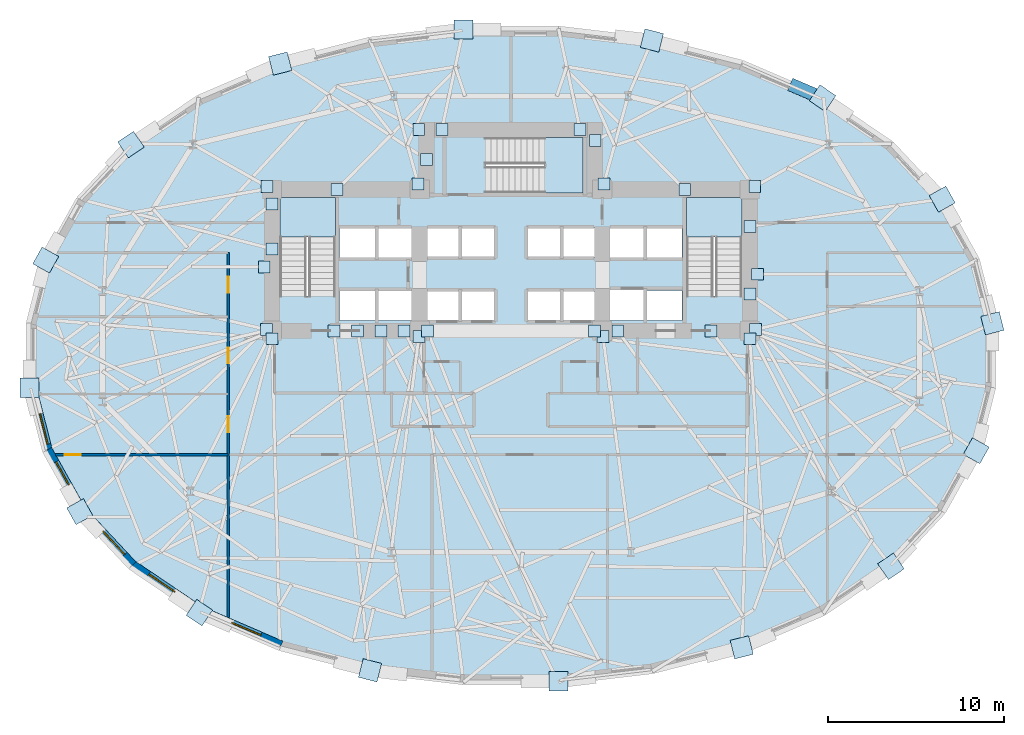
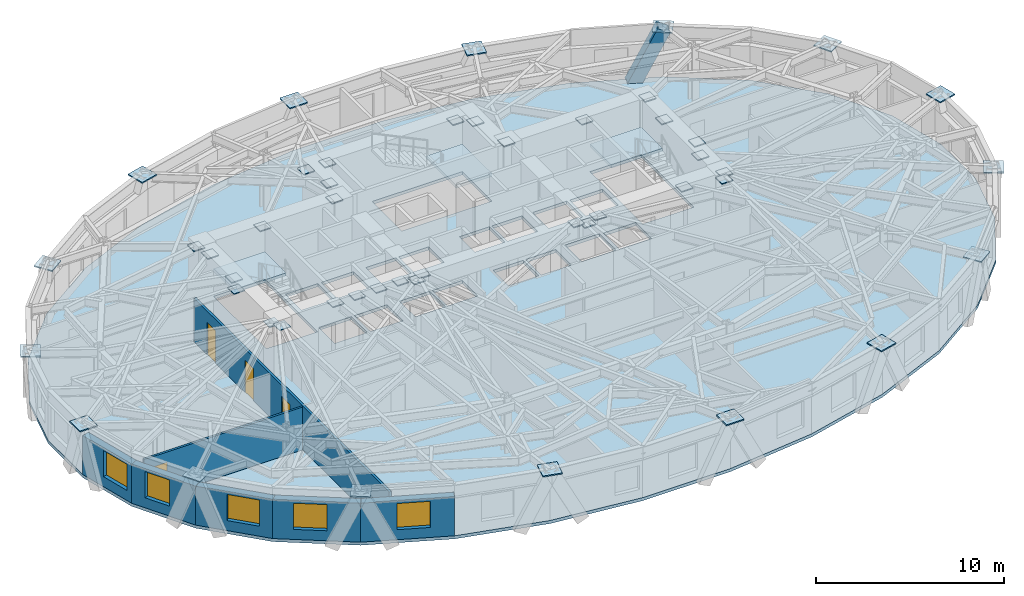
# One storey, part 5 of 13: 47 plates, 7 walls, 5 windows, 4 doors, 4 slabs, 1 member, 9 openings, 3 elements without a shape of their own.
"""IFC4 building model written with IfcOpenShell, lengths in metres."""

from ifc_helpers import new_model, si_unit, direction, frame, frame_2d, origin, origin_2d, place, context, subcontext, project, spatial, polyline, rectangle, hollow_rectangle, outline, extrude, material, layer, layer_set, material_profile, profile_set, type_object, element, fill, aggregate, save


model = new_model("IFC4")

# Units and contexts
model_context = context("Model", 3, precision=1e-05, world=origin(), true_north=direction((0.0, 1.0)))
body_context = subcontext(model_context, "Body", "Model", "MODEL_VIEW")
ifc_project = project(units=[si_unit("LENGTHUNIT", "METRE"), si_unit("AREAUNIT", "SQUARE_METRE"), si_unit("VOLUMEUNIT", "CUBIC_METRE"), si_unit("PLANEANGLEUNIT", "RADIAN"), si_unit("MASSUNIT", "GRAM", prefix="KILO")], contexts=[model_context])

# Site, building, storey
site_placement = place(None, origin())
site = spatial("IfcSite", under=ifc_project, at=site_placement, CompositionType="ELEMENT")
building_placement = place(site_placement, origin())
building = spatial("IfcBuilding", under=site, at=building_placement, Name="Keldmark Tower", CompositionType="ELEMENT")
storey_placement = place(building_placement, frame((0.0, 0.0, 45.0)))
storey = spatial("IfcBuildingStorey", under=building, at=storey_placement, Name="L11", CompositionType="ELEMENT", Elevation=45.0)

# Member
ifc_material_1 = material(Name="Steel ASTM A572 Grade 50", Category="steel")
ifc_material_profile = material_profile(ifc_material_1, hollow_rectangle(XDim=0.75, YDim=0.75, WallThickness=0.06494140625, at=origin_2d()), Name="BOX750X750X65")
ifc_profile_set = profile_set([ifc_material_profile], Name="Steel ASTM A572 Grade 50")
member_type = type_object("IfcMemberType", Name="Diagrid Lower Brace BOX750X750X65", PredefinedType="BRACE", material=ifc_profile_set)
member_placement = place(storey_placement, frame((16.2041015625, 15.302490234375, -0.280029296875), z_axis=(0.392247021116, -0.168433661558, 0.904307677773), x_axis=(0.394567930175, 0.918866774063, 0.0)))
element("IfcMember", 1, at=member_placement, inside=storey, type_object=member_type, Name="L11 Perimeter Diagrid Brace 03A", PredefinedType="BRACE", context=body_context, shape_type="SweptSolid", body=[
    extrude(hollow_rectangle(XDim=0.75, YDim=0.75, WallThickness=0.06494140625, at=origin_2d()), origin(), (0.0, 0.0, 1.0), 3.936767578125),
])

# Plates
ifc_material_2 = material(Name="Steel ASTM A572 Grade 50", Category="steel")
ifc_layer_1 = layer(ifc_material_2, 0.06005859375)
ifc_layer_set_1 = layer_set([ifc_layer_1], Name="Steel ASTM A572 Grade 50")
plate_type_1 = type_object("IfcPlateType", Name="Belt Truss Kink Node Assembly KN01 60 mm", PredefinedType="USERDEFINED", material=ifc_layer_set_1)
for number, where, z_axis, x_axis, name in (
    (2, (13.91162109375, 1.473388671875, 3.09814453125), (0.0, 0.0, 1.0), (1.0, 0.0, 0.0), "L11 Core Wall Cast-In Embed Plate 263"),
    (3, (13.878173828125, 9.608154296875, 3.09814453125), (0.0, 0.0, 1.0), (1.0, 0.0, 0.0), "L11 Core Wall Cast-In Embed Plate 264"),
    (4, (5.28515625, 9.758544921875, 3.09814453125), (0.0, 0.0, 1.0), (1.0, 0.0, 0.0), "L11 Core Wall Cast-In Embed Plate 265"),
    (5, (-5.28515625, 9.758544921875, 3.09814453125), (0.0, 0.0, 1.0), (1.0, 0.0, 0.0), "L11 Core Wall Cast-In Embed Plate 266"),
    (6, (-13.878173828125, 9.608154296875, 3.09814453125), (0.0, 0.0, 1.0), (1.0, 0.0, 0.0), "L11 Core Wall Cast-In Embed Plate 267"),
    (7, (-13.91162109375, 1.473388671875, 3.09814453125), (0.0, 0.0, 1.0), (1.0, 0.0, 0.0), "L11 Core Wall Cast-In Embed Plate 268"),
    (8, (-5.24072265625, 1.08251953125, 3.09814453125), (0.0, 0.0, 1.0), (1.0, 0.0, 0.0), "L11 Core Wall Cast-In Embed Plate 269"),
    (9, (5.24072265625, 1.08251953125, 3.09814453125), (0.0, 0.0, 1.0), (1.0, 0.0, 0.0), "L11 Core Wall Cast-In Embed Plate 270"),
    (10, (9.892822265625, 9.449951171875, 3.10400390625), (0.0, 0.0, 1.0), (1.0, 0.0, 0.0), "L11 Core Wall Cast-In Embed Plate 271"),
    (11, (-9.892822265625, 9.449951171875, 3.10400390625), (0.0, 0.0, 1.0), (1.0, 0.0, 0.0), "L11 Core Wall Cast-In Embed Plate 272"),
    (12, (-5.25, 12.85009765625, 3.10400390625), (0.0, 0.0, 1.0), (1.0, 0.0, 0.0), "L11 Core Wall Cast-In Embed Plate 273"),
    (13, (-8.735595703125, 1.39990234375, 3.10400390625), (0.0, 0.0, 1.0), (1.0, 0.0, 0.0), "L11 Core Wall Cast-In Embed Plate 274"),
    (14, (-13.60009765625, 0.949951171875, 3.10400390625), (0.0, 0.0, 1.0), (1.0, 0.0, 0.0), "L11 Core Wall Cast-In Embed Plate 275"),
    (15, (-6.07861328125, 1.39990234375, 3.10400390625), (0.0, 0.0, 1.0), (1.0, 0.0, 0.0), "L11 Core Wall Cast-In Embed Plate 276"),
    (16, (13.60009765625, 0.949951171875, 3.10400390625), (0.0, 0.0, 1.0), (1.0, 0.0, 0.0), "L11 Core Wall Cast-In Embed Plate 277"),
    (17, (13.60009765625, 7.343017578125, 3.10400390625), (0.0, 0.0, 1.0), (1.0, 0.0, 0.0), "L11 Core Wall Cast-In Embed Plate 278"),
    (18, (4.800048828125, 12.22509765625, 3.10400390625), (0.0, 0.0, 1.0), (1.0, 0.0, 0.0), "L11 Core Wall Cast-In Embed Plate 279"),
    (19, (3.9375, 12.85009765625, 3.10400390625), (0.0, 0.0, 1.0), (1.0, 0.0, 0.0), "L11 Core Wall Cast-In Embed Plate 280"),
    (20, (-3.9375, 12.85009765625, 3.10400390625), (0.0, 0.0, 1.0), (1.0, 0.0, 0.0), "L11 Core Wall Cast-In Embed Plate 281"),
    (21, (-4.800048828125, 11.14990234375, 3.10400390625), (0.0, 0.0, 1.0), (1.0, 0.0, 0.0), "L11 Core Wall Cast-In Embed Plate 282"),
    (22, (-13.60009765625, 6.064208984375, 3.10400390625), (0.0, 0.0, 1.0), (1.0, 0.0, 0.0), "L11 Core Wall Cast-In Embed Plate 283"),
    (23, (-13.60009765625, 8.621337890625, 3.10400390625), (0.0, 0.0, 1.0), (1.0, 0.0, 0.0), "L11 Core Wall Cast-In Embed Plate 284"),
    (24, (4.75, 1.39990234375, 3.10400390625), (0.0, 0.0, 1.0), (1.0, 0.0, 0.0), "L11 Core Wall Cast-In Embed Plate 285"),
    (25, (-10.064208984375, 1.39990234375, 3.10400390625), (0.0, 0.0, 1.0), (1.0, 0.0, 0.0), "L11 Core Wall Cast-In Embed Plate 286"),
    (26, (-4.75, 1.39990234375, 3.10400390625), (0.0, 0.0, 1.0), (1.0, 0.0, 0.0), "L11 Core Wall Cast-In Embed Plate 287"),
    (27, (-7.406982421875, 1.39990234375, 3.10400390625), (0.0, 0.0, 1.0), (1.0, 0.0, 0.0), "L11 Core Wall Cast-In Embed Plate 288"),
    (28, (6.07861328125, 1.39990234375, 3.10400390625), (0.0, 0.0, 1.0), (1.0, 0.0, 0.0), "L11 Core Wall Cast-In Embed Plate 289"),
    (29, (11.392822265625, 1.39990234375, 3.10400390625), (0.0, 0.0, 1.0), (1.0, 0.0, 0.0), "L11 Core Wall Cast-In Embed Plate 290"),
    (30, (13.60009765625, 3.507080078125, 3.10400390625), (0.0, 0.0, 1.0), (1.0, 0.0, 0.0), "L11 Core Wall Cast-In Embed Plate 291"),
    (31, (-14.044921875, 5.0400390625, 3.14404296875), (0.0, 0.0, 1.0), (1.0, 0.0, 0.0), "L11 Core Wall Cast-In Embed Plate 292"),
    (32, (14.044921875, 4.6201171875, 3.14404296875), (0.0, 0.0, 1.0), (1.0, 0.0, 0.0), "L11 Core Wall Cast-In Embed Plate 293"),
):
    element("IfcPlate", number, at=place(storey_placement, frame(where, z_axis=z_axis, x_axis=x_axis)), inside=storey, type_object=plate_type_1, Name=name, ObjectType="CAP PLATE", PredefinedType="USERDEFINED", context=body_context, shape_type="SweptSolid", body=[
        extrude(rectangle(XDim=0.679931640625, YDim=0.679931640625, at=origin_2d()), origin(), (0.0, 0.0, 1.0), 0.054931640625),
    ])
ifc_material_3 = material(Name="Steel ASTM A572 Grade 50", Category="steel")
ifc_layer_2 = layer(ifc_material_3, 0.074951171875)
ifc_layer_set_2 = layer_set([ifc_layer_2], Name="Steel ASTM A572 Grade 50")
plate_type_2 = type_object("IfcPlateType", Name="Diagrid Node Assembly DN01 75 mm", PredefinedType="USERDEFINED", material=ifc_layer_set_2)
for number, where, z_axis, x_axis, name in (
    (33, (27.40625, 1.8271484375, 3.24267578125), (0.0, 0.0, 1.0), (-0.248013628006, 0.968756543371, 0.0), "L11 Diagrid Node Assembly 01"),
    (34, (24.551025390625, 8.8955078125, 3.24267578125), (0.0, 0.0, 1.0), (-0.487402531354, 0.87317740032, 0.0), "L11 Diagrid Node Assembly 02"),
    (35, (17.739990234375, 14.647705078125, 3.24267578125), (0.0, 0.0, 1.0), (-0.827864584251, 0.560928007986, 0.0), "L11 Diagrid Node Assembly 04"),
    (36, (8.02197265625, 17.9296875, 3.24267578125), (0.0, 0.0, 1.0), (-0.968713242072, 0.248182704141, 0.0), "L11 Diagrid Node Assembly 06"),
    (37, (-2.711181640625, 18.551513671875, 3.24267578125), (0.0, 0.0, 1.0), (-1.0, 0.0, 0.0), "L11 Diagrid Node Assembly 08"),
    (38, (-13.135986328125, 16.617431640625, 3.24267578125), (0.0, 0.0, 1.0), (-0.968713242072, -0.248182704141, 0.0), "L11 Diagrid Node Assembly 10"),
    (39, (-21.634765625, 12.005859375, 3.24267578125), (0.0, 0.0, 1.0), (-0.827864584251, -0.560928007986, 0.0), "L11 Diagrid Node Assembly 12"),
    (40, (-26.4853515625, 5.4267578125, 3.24267578125), (0.0, 0.0, 1.0), (-0.487402531354, -0.87317740032, 0.0), "L11 Diagrid Node Assembly 14"),
    (41, (-27.40625, -1.8388671875, 3.24267578125), (0.0, 0.0, 1.0), (0.0, -1.0, 0.0), "L11 Diagrid Node Assembly 16"),
    (42, (-24.551025390625, -8.8955078125, 3.24267578125), (0.0, 0.0, 1.0), (0.487402531354, -0.87317740032, 0.0), "L11 Diagrid Node Assembly 18"),
    (43, (-17.739990234375, -14.647705078125, 3.24267578125), (0.0, 0.0, 1.0), (0.827864584251, -0.560928007986, 0.0), "L11 Diagrid Node Assembly 20"),
    (44, (-8.02197265625, -17.9296875, 3.24267578125), (0.0, 0.0, 1.0), (0.968713242072, -0.248182704141, 0.0), "L11 Diagrid Node Assembly 22"),
    (45, (2.711181640625, -18.551513671875, 3.24267578125), (0.0, 0.0, 1.0), (1.0, 0.0, 0.0), "L11 Diagrid Node Assembly 24"),
    (46, (13.135986328125, -16.617431640625, 3.24267578125), (0.0, 0.0, 1.0), (0.968713242072, 0.248182704141, 0.0), "L11 Diagrid Node Assembly 26"),
    (47, (21.634765625, -12.005859375, 3.24267578125), (0.0, 0.0, 1.0), (0.827864584251, 0.560928007986, 0.0), "L11 Diagrid Node Assembly 28"),
    (48, (26.4853515625, -5.4267578125, 3.24267578125), (0.0, 0.0, 1.0), (0.487402531354, 0.87317740032, 0.0), "L11 Diagrid Node Assembly 30"),
):
    element("IfcPlate", number, at=place(storey_placement, frame(where, z_axis=z_axis, x_axis=x_axis)), inside=storey, type_object=plate_type_2, Name=name, ObjectType="GUSSET", PredefinedType="USERDEFINED", context=body_context, shape_type="SweptSolid", body=[
        extrude(rectangle(XDim=1.090087890625, YDim=1.090087890625, at=origin_2d()), origin(), (0.0, 0.0, 1.0), 0.074951171875),
    ])

# Slab
ifc_material_4 = material(Name="Concrete C35/45", Category="concrete")
ifc_layer_3 = layer(ifc_material_4, 0.199951171875)
ifc_layer_set_3 = layer_set([ifc_layer_3], Name="Concrete C35/45")
slab_type_1 = type_object("IfcSlabType", Name="Low-Rise Office Composite Slab 200 mm", PredefinedType="FLOOR", material=ifc_layer_set_3)
slab_1_placement = place(storey_placement, frame((0.0, 0.0, -0.199951171875)))
element("IfcSlab", 49, at=slab_1_placement, inside=storey, type_object=slab_type_1, Name="L11 Composite Structural Floor Slab", PredefinedType="FLOOR", context=body_context, shape_type="SweptSolid", body=[
    extrude(outline(polyline([(27.4658203125, 1.8330078125), (26.538330078125, 5.455078125), (24.6083984375, 8.912841796875), (21.6728515625, 12.05224609375), (17.786376953125, 14.685791015625), (13.1533203125, 16.6748046875), (8.05029296875, 17.982666015625), (2.705078125, 18.611083984375), (-2.705078125, 18.611083984375), (-8.05029296875, 17.982666015625), (-13.1533203125, 16.6748046875), (-17.786376953125, 14.685791015625), (-21.6728515625, 12.05224609375), (-24.6083984375, 8.912841796875), (-26.538330078125, 5.455078125), (-27.4658203125, 1.8330078125), (-27.4658203125, -1.8330078125), (-26.538330078125, -5.455078125), (-24.6083984375, -8.912841796875), (-21.6728515625, -12.05224609375), (-17.786376953125, -14.685791015625), (-13.1533203125, -16.6748046875), (-8.05029296875, -17.982666015625), (-2.705078125, -18.611083984375), (2.705078125, -18.611083984375), (8.05029296875, -17.982666015625), (13.1533203125, -16.6748046875), (17.786376953125, -14.685791015625), (21.6728515625, -12.05224609375), (24.6083984375, -8.912841796875), (26.538330078125, -5.455078125), (27.4658203125, -1.8330078125), (27.4658203125, 1.8330078125)]), holes=[polyline([(-10.0, 3.385009765625), (-10.0, 9.0), (-13.14990234375, 9.0), (-13.14990234375, 3.385009765625), (-10.0, 3.385009765625)]), polyline([(13.14990234375, 3.385009765625), (13.14990234375, 9.0), (10.0, 9.0), (10.0, 3.385009765625), (13.14990234375, 3.385009765625)]), polyline([(-1.43994140625, 9.25), (4.10498046875, 9.25), (4.10498046875, 12.39990234375), (-1.43994140625, 12.39990234375), (-1.43994140625, 9.25)]), polyline([(-9.75, 2.0), (-7.75, 2.0), (-7.75, 3.699951171875), (-9.75, 3.699951171875), (-9.75, 2.0)]), polyline([(7.75, 2.0), (9.75, 2.0), (9.75, 3.699951171875), (7.75, 3.699951171875), (7.75, 2.0)]), polyline([(5.449951171875, 2.0), (7.550048828125, 2.0), (7.550048828125, 3.75), (5.449951171875, 3.75), (5.449951171875, 2.0)]), polyline([(-4.800048828125, 2.0), (-2.949951171875, 2.0), (-2.949951171875, 3.64990234375), (-4.800048828125, 3.64990234375), (-4.800048828125, 2.0)]), polyline([(-2.800048828125, 2.0), (-0.949951171875, 2.0), (-0.949951171875, 3.64990234375), (-2.800048828125, 3.64990234375), (-2.800048828125, 2.0)]), polyline([(0.949951171875, 2.0), (2.800048828125, 2.0), (2.800048828125, 3.64990234375), (0.949951171875, 3.64990234375), (0.949951171875, 2.0)]), polyline([(2.949951171875, 2.0), (4.800048828125, 2.0), (4.800048828125, 3.64990234375), (2.949951171875, 3.64990234375), (2.949951171875, 2.0)]), polyline([(-4.800048828125, 5.60009765625), (-2.949951171875, 5.60009765625), (-2.949951171875, 7.25), (-4.800048828125, 7.25), (-4.800048828125, 5.60009765625)]), polyline([(-2.800048828125, 5.60009765625), (-0.949951171875, 5.60009765625), (-0.949951171875, 7.25), (-2.800048828125, 7.25), (-2.800048828125, 5.60009765625)]), polyline([(0.949951171875, 5.60009765625), (2.800048828125, 5.60009765625), (2.800048828125, 7.25), (0.949951171875, 7.25), (0.949951171875, 5.60009765625)]), polyline([(2.949951171875, 5.60009765625), (4.800048828125, 5.60009765625), (4.800048828125, 7.25), (2.949951171875, 7.25), (2.949951171875, 5.60009765625)]), polyline([(-9.75, 5.550048828125), (-7.75, 5.550048828125), (-7.75, 7.25), (-9.75, 7.25), (-9.75, 5.550048828125)]), polyline([(-7.550048828125, 5.550048828125), (-5.550048828125, 5.550048828125), (-5.550048828125, 7.25), (-7.550048828125, 7.25), (-7.550048828125, 5.550048828125)]), polyline([(-7.550048828125, 2.0), (-5.550048828125, 2.0), (-5.550048828125, 3.699951171875), (-7.550048828125, 3.699951171875), (-7.550048828125, 2.0)]), polyline([(5.449951171875, 5.550048828125), (7.550048828125, 5.550048828125), (7.550048828125, 7.25), (5.449951171875, 7.25), (5.449951171875, 5.550048828125)]), polyline([(7.75, 5.550048828125), (9.75, 5.550048828125), (9.75, 7.25), (7.75, 7.25), (7.75, 5.550048828125)])]), origin(), (0.0, 0.0, 1.0), 0.199951171875),
])

# Stair, slab
ifc_material_5 = material(Name="Concrete C40/50", Category="concrete")
stair_type = type_object("IfcStairType", Name="Precast Concrete Core Exit Stair", PredefinedType="HALF_TURN_STAIR", material=ifc_material_5)
stair_1_placement = place(storey_placement, origin())
stair_1 = element("IfcStair", 50, at=stair_1_placement, inside=storey, type_object=stair_type, Name="L11 Exit Stair ST1", PredefinedType="HALF_TURN_STAIR")
ifc_material_6 = material(Name="Concrete C40/50", Category="concrete")
ifc_layer_4 = layer(ifc_material_6, 0.199951171875)
ifc_layer_set_4 = layer_set([ifc_layer_4], Name="Concrete C40/50")
slab_type_2 = type_object("IfcSlabType", Name="Reinforced Concrete Stair Landing 200 mm", PredefinedType="LANDING", material=ifc_layer_set_4)
slab_2_placement = place(storey_placement, frame((0.0, 0.0, 1.60009765625)))
slab_2 = element("IfcSlab", 51, at=slab_2_placement, type_object=slab_type_2, Name="ST1 landing 1", PredefinedType="LANDING", context=body_context, shape_type="SweptSolid", body=[
    extrude(outline(polyline([(-10.0, 6.72998046875), (-10.0, 9.0), (-13.14990234375, 9.0), (-13.14990234375, 6.72998046875), (-10.0, 6.72998046875)])), origin(), (0.0, 0.0, 1.0), 0.199951171875),
])
aggregate(stair_1, [slab_2])

stair_2_placement = place(storey_placement, origin())
stair_2 = element("IfcStair", 52, at=stair_2_placement, inside=storey, type_object=stair_type, Name="L11 Exit Stair ST2", PredefinedType="HALF_TURN_STAIR")
slab_3_placement = place(storey_placement, frame((0.0, 0.0, 1.60009765625)))
slab_3 = element("IfcSlab", 53, at=slab_3_placement, type_object=slab_type_2, Name="ST2 landing 1", PredefinedType="LANDING", context=body_context, shape_type="SweptSolid", body=[
    extrude(outline(polyline([(13.14990234375, 6.72998046875), (13.14990234375, 9.0), (10.0, 9.0), (10.0, 6.72998046875), (13.14990234375, 6.72998046875)])), origin(), (0.0, 0.0, 1.0), 0.199951171875),
])
aggregate(stair_2, [slab_3])

stair_3_placement = place(storey_placement, origin())
stair_3 = element("IfcStair", 54, at=stair_3_placement, inside=storey, type_object=stair_type, Name="L11 Exit Stair ST3", PredefinedType="HALF_TURN_STAIR")
slab_4_placement = place(storey_placement, frame((0.0, 0.0, 1.60009765625)))
slab_4 = element("IfcSlab", 55, at=slab_4_placement, type_object=slab_type_2, Name="ST3 landing 1", PredefinedType="LANDING", context=body_context, shape_type="SweptSolid", body=[
    extrude(outline(polyline([(1.905029296875, 9.25), (4.10498046875, 9.25), (4.10498046875, 12.39990234375), (1.905029296875, 12.39990234375), (1.905029296875, 9.25)])), origin(), (0.0, 0.0, 1.0), 0.199951171875),
])
aggregate(stair_3, [slab_4])

# Wall, openings, doors
ifc_material_7 = material(Name="Acoustic Double-Layer Gypsum Corridor Partition", Category="gypsum")
ifc_layer_5 = layer(ifc_material_7, 0.139892578125)
ifc_layer_set_5 = layer_set([ifc_layer_5], Name="Acoustic Double-Layer Gypsum Corridor Partition")
wall_type_1 = type_object("IfcWallType", Name="Acoustic Corridor Partition 140 mm", PredefinedType="PARTITIONING", material=ifc_layer_set_5)
wall_1_placement = place(storey_placement, frame((-16.10009765625, -14.922119140625, 0.0), z_axis=(0.0, 0.0, 1.0), x_axis=(0.0, 1.0, 0.0)))
wall_1 = element("IfcWall", 56, at=wall_1_placement, inside=storey, type_object=wall_type_1, Name="L11 Acoustic Corridor Partition 140 mm COR-W", PredefinedType="PARTITIONING", context=body_context, shape_type="SweptSolid", body=[
    extrude(rectangle(XDim=20.772216796875, YDim=0.139892578125, at=frame_2d((10.38623046875, 0.0))), origin(), (0.0, 0.0, 1.0), 2.841064453125),
])
opening_1_placement = place(wall_1_placement, frame((10.54736328125, 0.0, 0.0)))
opening_1 = element("IfcOpeningElement", 57, at=opening_1_placement, cuts=wall_1, Name="Opening D-IN090", PredefinedType="OPENING", context=body_context, shape_type="SweptSolid", body=[
    extrude(rectangle(XDim=0.89990234375, YDim=2.10009765625, at=frame_2d((0.449951171875, 1.050048828125))), frame((0.0, 0.079833984375, 0.0), z_axis=(0.0, -1.0, 0.0), x_axis=(1.0, 0.0, 0.0)), (0.0, 0.0, 1.0), 0.159912109375),
])
opening_2_placement = place(wall_1_placement, frame((14.472412109375, 0.0, 0.0)))
opening_2 = element("IfcOpeningElement", 58, at=opening_2_placement, cuts=wall_1, Name="Opening D-IN090", PredefinedType="OPENING", context=body_context, shape_type="SweptSolid", body=[
    extrude(rectangle(XDim=0.89990234375, YDim=2.10009765625, at=frame_2d((0.449951171875, 1.050048828125))), frame((0.0, 0.079833984375, 0.0), z_axis=(0.0, -1.0, 0.0), x_axis=(1.0, 0.0, 0.0)), (0.0, 0.0, 1.0), 0.159912109375),
])
opening_3_placement = place(wall_1_placement, frame((18.497314453125, 0.0, 0.0)))
opening_3 = element("IfcOpeningElement", 59, at=opening_3_placement, cuts=wall_1, Name="Opening D-IN090", PredefinedType="OPENING", context=body_context, shape_type="SweptSolid", body=[
    extrude(rectangle(XDim=0.89990234375, YDim=2.10009765625, at=frame_2d((0.449951171875, 1.050048828125))), frame((0.0, 0.079833984375, 0.0), z_axis=(0.0, -1.0, 0.0), x_axis=(1.0, 0.0, 0.0)), (0.0, 0.0, 1.0), 0.159912109375),
])
ifc_material_8 = material(Name="Stained American White Oak Veneer", Category="wood")
door_type = type_object("IfcDoorType", Name="Interior Door 900x2100", OperationType="NOTDEFINED", PredefinedType="DOOR", material=ifc_material_8)
door_1_placement = place(opening_1_placement, origin())
door_1 = element("IfcDoor", 60, at=door_1_placement, inside=storey, type_object=door_type, Name="L11 Interior Door 900x2100 D-WR-1-L11", OperationType="SINGLE_SWING_LEFT", OverallHeight=2.10009765625, OverallWidth=0.89990234375, PredefinedType="DOOR", context=body_context, shape_type="SweptSolid", body=[
    extrude(rectangle(XDim=0.89990234375, YDim=2.10009765625, at=frame_2d((0.449951171875, 1.050048828125))), frame((0.0, 0.02490234375, 0.0), z_axis=(0.0, -1.0, 0.0), x_axis=(1.0, 0.0, 0.0)), (0.0, 0.0, 1.0), 0.050048828125),
])
fill(opening_1, door_1)
door_2_placement = place(opening_2_placement, origin())
door_2 = element("IfcDoor", 61, at=door_2_placement, inside=storey, type_object=door_type, Name="L11 Interior Door 900x2100 D-WR-2-L11", OperationType="SINGLE_SWING_RIGHT", OverallHeight=2.10009765625, OverallWidth=0.89990234375, PredefinedType="DOOR", context=body_context, shape_type="SweptSolid", body=[
    extrude(rectangle(XDim=0.89990234375, YDim=2.10009765625, at=frame_2d((0.449951171875, 1.050048828125))), frame((0.0, 0.02490234375, 0.0), z_axis=(0.0, -1.0, 0.0), x_axis=(1.0, 0.0, 0.0)), (0.0, 0.0, 1.0), 0.050048828125),
])
fill(opening_2, door_2)
door_3_placement = place(opening_3_placement, origin())
door_3 = element("IfcDoor", 62, at=door_3_placement, inside=storey, type_object=door_type, Name="L11 Interior Door 900x2100 D-WR-3-L11", OperationType="SINGLE_SWING_LEFT", OverallHeight=2.10009765625, OverallWidth=0.89990234375, PredefinedType="DOOR", context=body_context, shape_type="SweptSolid", body=[
    extrude(rectangle(XDim=0.89990234375, YDim=2.10009765625, at=frame_2d((0.449951171875, 1.050048828125))), frame((0.0, 0.02490234375, 0.0), z_axis=(0.0, -1.0, 0.0), x_axis=(1.0, 0.0, 0.0)), (0.0, 0.0, 1.0), 0.050048828125),
])
fill(opening_3, door_3)

# Wall, opening, door
ifc_material_9 = material(Name="Acoustic Gypsum Board Interior Partition", Category="gypsum")
ifc_layer_6 = layer(ifc_material_9, 0.1298828125)
ifc_layer_set_6 = layer_set([ifc_layer_6], Name="Acoustic Gypsum Board Interior Partition")
wall_type_2 = type_object("IfcWallType", Name="Interior Partition 130 mm", PredefinedType="PARTITIONING", material=ifc_layer_set_6)
wall_2_placement = place(storey_placement, frame((-25.91650390625, -5.64990234375, 0.0), z_axis=(0.0, 0.0, 1.0), x_axis=(1.0, 0.0, 0.0)))
wall_2 = element("IfcWall", 63, at=wall_2_placement, inside=storey, type_object=wall_type_2, Name="L11 Interior Partition 130 mm W-CAP-S", PredefinedType="PARTITIONING", context=body_context, shape_type="SweptSolid", body=[
    extrude(rectangle(XDim=9.81640625, YDim=0.1298828125, at=frame_2d((4.908203125, 0.0))), origin(), (0.0, 0.0, 1.0), 2.779052734375),
])
opening_4_placement = place(wall_2_placement, frame((0.510009765625, 0.0, 0.0)))
opening_4 = element("IfcOpeningElement", 64, at=opening_4_placement, cuts=wall_2, Name="Opening D-IN090", PredefinedType="OPENING", context=body_context, shape_type="SweptSolid", body=[
    extrude(rectangle(XDim=0.89990234375, YDim=2.10009765625, at=frame_2d((0.449951171875, 1.050048828125))), frame((0.0, 0.074951171875, 0.0), z_axis=(0.0, -1.0, 0.0), x_axis=(1.0, 0.0, 0.0)), (0.0, 0.0, 1.0), 0.14990234375),
])
door_4_placement = place(opening_4_placement, origin())
door_4 = element("IfcDoor", 65, at=door_4_placement, inside=storey, type_object=door_type, Name="L11 Interior Door 900x2100 D-WRSW-L11", OperationType="SINGLE_SWING_LEFT", OverallHeight=2.10009765625, OverallWidth=0.89990234375, PredefinedType="DOOR", context=body_context, shape_type="SweptSolid", body=[
    extrude(rectangle(XDim=0.89990234375, YDim=2.10009765625, at=frame_2d((0.449951171875, 1.050048828125))), frame((0.0, 0.02490234375, 0.0), z_axis=(0.0, -1.0, 0.0), x_axis=(1.0, 0.0, 0.0)), (0.0, 0.0, 1.0), 0.050048828125),
])
fill(opening_4, door_4)

# Wall, opening, window
ifc_material_10 = material(Name="Ironspot Manganese Brick and Kasota Buff Limestone Spandrel Assembly", Category="masonry")
ifc_layer_7 = layer(ifc_material_10, 0.43994140625)
ifc_layer_set_7 = layer_set([ifc_layer_7], Name="Ironspot Manganese Brick and Kasota Buff Limestone Spandrel Assembly")
wall_type_3 = type_object("IfcWallType", Name="Tower Brick Pier and Spandrel Wall 440 mm", PredefinedType="STANDARD", material=ifc_layer_set_7)
wall_3_placement = place(storey_placement, frame((-26.3251953125, -5.400390625, 0.0), z_axis=(0.0, 0.0, 1.0), x_axis=(-0.248062710061, 0.968743976434, 0.0)))
wall_3 = element("IfcWall", 66, at=wall_3_placement, inside=storey, type_object=wall_type_3, Name="L11 Exterior Brick and Spandrel Wall 17", PredefinedType="STANDARD", context=body_context, shape_type="SweptSolid", body=[
    extrude(rectangle(XDim=3.739013671875, YDim=0.43994140625, at=frame_2d((1.86962890625, 0.0))), origin(), (0.0, 0.0, 1.0), 2.529052734375),
])
opening_5_placement = place(wall_3_placement, frame((0.348876953125, 0.0, 0.64990234375)))
opening_5 = element("IfcOpeningElement", 67, at=opening_5_placement, cuts=wall_3, Name="Opening W-02", PredefinedType="OPENING", context=body_context, shape_type="SweptSolid", body=[
    extrude(rectangle(XDim=1.800048828125, YDim=1.699951171875, at=frame_2d((0.89990234375, 0.85009765625))), frame((0.0, 0.22998046875, 0.0), z_axis=(0.0, -1.0, 0.0), x_axis=(1.0, 0.0, 0.0)), (0.0, 0.0, 1.0), 0.4599609375),
])
ifc_material_11 = material(Name="Thermally Broken Anodized Aluminum and Triple Low-E Argon Glazing", Category="aluminium")
window_type_1 = type_object("IfcWindowType", Name="Office Deep-Set Triple Window 1800x1700", PartitioningType="TRIPLE_PANEL_VERTICAL", PredefinedType="WINDOW", material=ifc_material_11)
window_1_placement = place(opening_5_placement, origin())
window_1 = element("IfcWindow", 68, at=window_1_placement, inside=storey, type_object=window_type_1, Name="L11 Deep-Set Window 17", OverallHeight=1.699951171875, OverallWidth=1.800048828125, PartitioningType="SINGLE_PANEL", PredefinedType="WINDOW", context=body_context, shape_type="SweptSolid", body=[
    extrude(rectangle(XDim=1.800048828125, YDim=1.699951171875, at=frame_2d((0.89990234375, 0.85009765625))), frame((0.0, -0.010009765625, 0.0), z_axis=(0.0, -1.0, 0.0), x_axis=(1.0, 0.0, 0.0)), (0.0, 0.0, 1.0), 0.06005859375),
])
fill(opening_5, window_1)

wall_4_placement = place(storey_placement, frame((-24.416259765625, -8.8056640625, 0.0), z_axis=(0.0, 0.0, 1.0), x_axis=(-0.487369438963, 0.873195871477, 0.0)))
wall_4 = element("IfcWall", 69, at=wall_4_placement, inside=storey, type_object=wall_type_3, Name="L11 Exterior Brick and Spandrel Wall 18", PredefinedType="STANDARD", context=body_context, shape_type="SweptSolid", body=[
    extrude(rectangle(XDim=3.9599609375, YDim=0.43994140625, at=frame_2d((1.97998046875, 0.0))), origin(), (0.0, 0.0, 1.0), 2.529052734375),
])
opening_6_placement = place(wall_4_placement, frame((1.622314453125, 0.0, 0.64990234375)))
opening_6 = element("IfcOpeningElement", 70, at=opening_6_placement, cuts=wall_4, Name="Opening W-03", PredefinedType="OPENING", context=body_context, shape_type="SweptSolid", body=[
    extrude(rectangle(XDim=1.5, YDim=1.699951171875, at=frame_2d((0.75, 0.85009765625))), frame((0.0, 0.22998046875, 0.0), z_axis=(0.0, -1.0, 0.0), x_axis=(1.0, 0.0, 0.0)), (0.0, 0.0, 1.0), 0.4599609375),
])
ifc_material_12 = material(Name="Thermally Broken Anodized Aluminum and Triple Low-E Argon Glazing", Category="aluminium")
window_type_2 = type_object("IfcWindowType", Name="Office Corner Deep-Set Window 1500x1700", PartitioningType="DOUBLE_PANEL_VERTICAL", PredefinedType="WINDOW", material=ifc_material_12)
window_2_placement = place(opening_6_placement, origin())
window_2 = element("IfcWindow", 71, at=window_2_placement, inside=storey, type_object=window_type_2, Name="L11 Deep-Set Window 18", OverallHeight=1.699951171875, OverallWidth=1.5, PartitioningType="SINGLE_PANEL", PredefinedType="WINDOW", context=body_context, shape_type="SweptSolid", body=[
    extrude(rectangle(XDim=1.5, YDim=1.699951171875, at=frame_2d((0.75, 0.85009765625))), frame((0.0, -0.010009765625, 0.0), z_axis=(0.0, -1.0, 0.0), x_axis=(1.0, 0.0, 0.0)), (0.0, 0.0, 1.0), 0.06005859375),
])
fill(opening_6, window_2)

wall_5_placement = place(storey_placement, frame((-21.51220703125, -11.902099609375, 0.0), z_axis=(0.0, 0.0, 1.0), x_axis=(-0.68299392258, 0.730424056093, 0.0)))
wall_5 = element("IfcWall", 72, at=wall_5_placement, inside=storey, type_object=wall_type_3, Name="L11 Exterior Brick and Spandrel Wall 19", PredefinedType="STANDARD", context=body_context, shape_type="SweptSolid", body=[
    extrude(rectangle(XDim=4.298095703125, YDim=0.43994140625, at=frame_2d((2.14892578125, 0.0))), origin(), (0.0, 0.0, 1.0), 2.529052734375),
])
opening_7_placement = place(wall_5_placement, frame((0.74951171875, 0.0, 0.64990234375)))
opening_7 = element("IfcOpeningElement", 73, at=opening_7_placement, cuts=wall_5, Name="Opening W-02", PredefinedType="OPENING", context=body_context, shape_type="SweptSolid", body=[
    extrude(rectangle(XDim=1.800048828125, YDim=1.699951171875, at=frame_2d((0.89990234375, 0.85009765625))), frame((0.0, 0.22998046875, 0.0), z_axis=(0.0, -1.0, 0.0), x_axis=(1.0, 0.0, 0.0)), (0.0, 0.0, 1.0), 0.4599609375),
])
window_3_placement = place(opening_7_placement, origin())
window_3 = element("IfcWindow", 74, at=window_3_placement, inside=storey, type_object=window_type_1, Name="L11 Deep-Set Window 19", OverallHeight=1.699951171875, OverallWidth=1.800048828125, PartitioningType="SINGLE_PANEL", PredefinedType="WINDOW", context=body_context, shape_type="SweptSolid", body=[
    extrude(rectangle(XDim=1.800048828125, YDim=1.699951171875, at=frame_2d((0.89990234375, 0.85009765625))), frame((0.0, -0.010009765625, 0.0), z_axis=(0.0, -1.0, 0.0), x_axis=(1.0, 0.0, 0.0)), (0.0, 0.0, 1.0), 0.06005859375),
])
fill(opening_7, window_3)

wall_6_placement = place(storey_placement, frame((-17.6630859375, -14.503662109375, 0.0), z_axis=(0.0, 0.0, 1.0), x_axis=(-0.827825981515, 0.560984976919, 0.0)))
wall_6 = element("IfcWall", 75, at=wall_6_placement, inside=storey, type_object=wall_type_3, Name="L11 Exterior Brick and Spandrel Wall 20", PredefinedType="STANDARD", context=body_context, shape_type="SweptSolid", body=[
    extrude(rectangle(XDim=4.694580078125, YDim=0.43994140625, at=frame_2d((2.34716796875, 0.0))), origin(), (0.0, 0.0, 1.0), 2.529052734375),
])
opening_8_placement = place(wall_6_placement, frame((1.79638671875, 0.0, 0.64990234375)))
opening_8 = element("IfcOpeningElement", 76, at=opening_8_placement, cuts=wall_6, Name="Opening W-02", PredefinedType="OPENING", context=body_context, shape_type="SweptSolid", body=[
    extrude(rectangle(XDim=1.800048828125, YDim=1.699951171875, at=frame_2d((0.89990234375, 0.85009765625))), frame((0.0, 0.22998046875, 0.0), z_axis=(0.0, -1.0, 0.0), x_axis=(1.0, 0.0, 0.0)), (0.0, 0.0, 1.0), 0.4599609375),
])
window_4_placement = place(opening_8_placement, origin())
window_4 = element("IfcWindow", 77, at=window_4_placement, inside=storey, type_object=window_type_1, Name="L11 Deep-Set Window 20", OverallHeight=1.699951171875, OverallWidth=1.800048828125, PartitioningType="SINGLE_PANEL", PredefinedType="WINDOW", context=body_context, shape_type="SweptSolid", body=[
    extrude(rectangle(XDim=1.800048828125, YDim=1.699951171875, at=frame_2d((0.89990234375, 0.85009765625))), frame((0.0, -0.010009765625, 0.0), z_axis=(0.0, -1.0, 0.0), x_axis=(1.0, 0.0, 0.0)), (0.0, 0.0, 1.0), 0.06005859375),
])
fill(opening_8, window_4)

wall_7_placement = place(storey_placement, frame((-13.066650390625, -16.47265625, 0.0), z_axis=(0.0, 0.0, 1.0), x_axis=(-0.918881850071, 0.394532819433, 0.0)))
wall_7 = element("IfcWall", 78, at=wall_7_placement, inside=storey, type_object=wall_type_3, Name="L11 Exterior Brick and Spandrel Wall 21", PredefinedType="STANDARD", context=body_context, shape_type="SweptSolid", body=[
    extrude(rectangle(XDim=5.0419921875, YDim=0.43994140625, at=frame_2d((2.52099609375, 0.0))), origin(), (0.0, 0.0, 1.0), 2.529052734375),
])
opening_9_placement = place(wall_7_placement, frame((1.296875, 0.0, 0.64990234375)))
opening_9 = element("IfcOpeningElement", 79, at=opening_9_placement, cuts=wall_7, Name="Opening W-02", PredefinedType="OPENING", context=body_context, shape_type="SweptSolid", body=[
    extrude(rectangle(XDim=1.800048828125, YDim=1.699951171875, at=frame_2d((0.89990234375, 0.85009765625))), frame((0.0, 0.22998046875, 0.0), z_axis=(0.0, -1.0, 0.0), x_axis=(1.0, 0.0, 0.0)), (0.0, 0.0, 1.0), 0.4599609375),
])
window_5_placement = place(opening_9_placement, origin())
window_5 = element("IfcWindow", 80, at=window_5_placement, inside=storey, type_object=window_type_1, Name="L11 Deep-Set Window 21", OverallHeight=1.699951171875, OverallWidth=1.800048828125, PartitioningType="SINGLE_PANEL", PredefinedType="WINDOW", context=body_context, shape_type="SweptSolid", body=[
    extrude(rectangle(XDim=1.800048828125, YDim=1.699951171875, at=frame_2d((0.89990234375, 0.85009765625))), frame((0.0, -0.010009765625, 0.0), z_axis=(0.0, -1.0, 0.0), x_axis=(1.0, 0.0, 0.0)), (0.0, 0.0, 1.0), 0.06005859375),
])
fill(opening_9, window_5)

save(model, "model.ifc")
